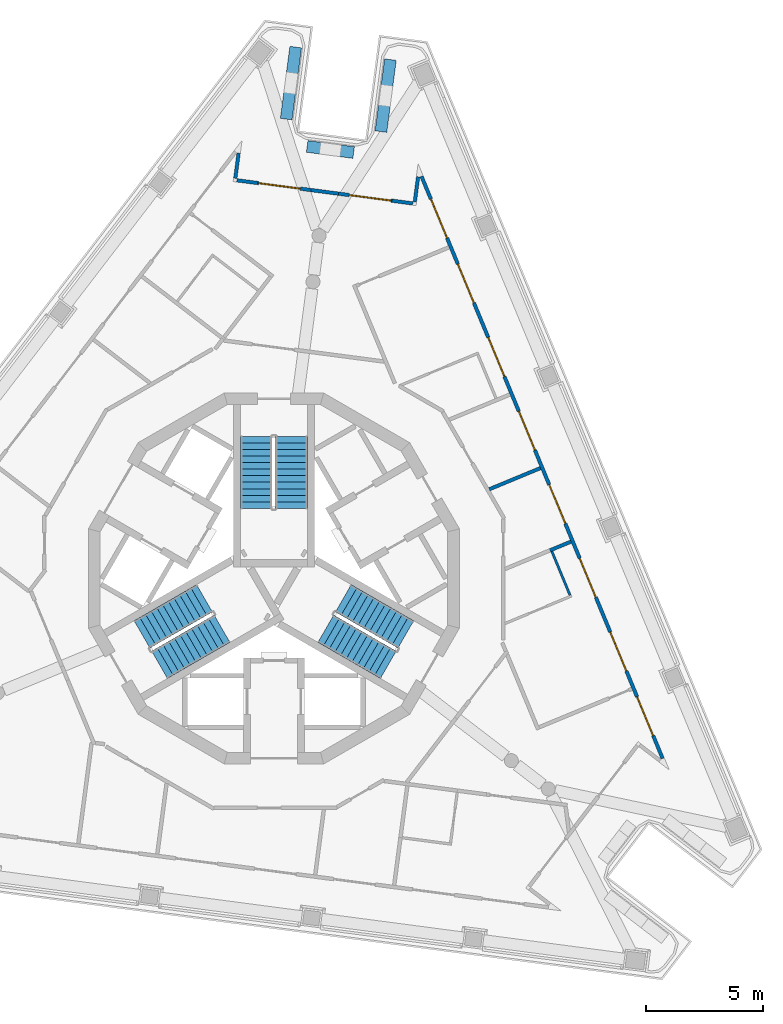
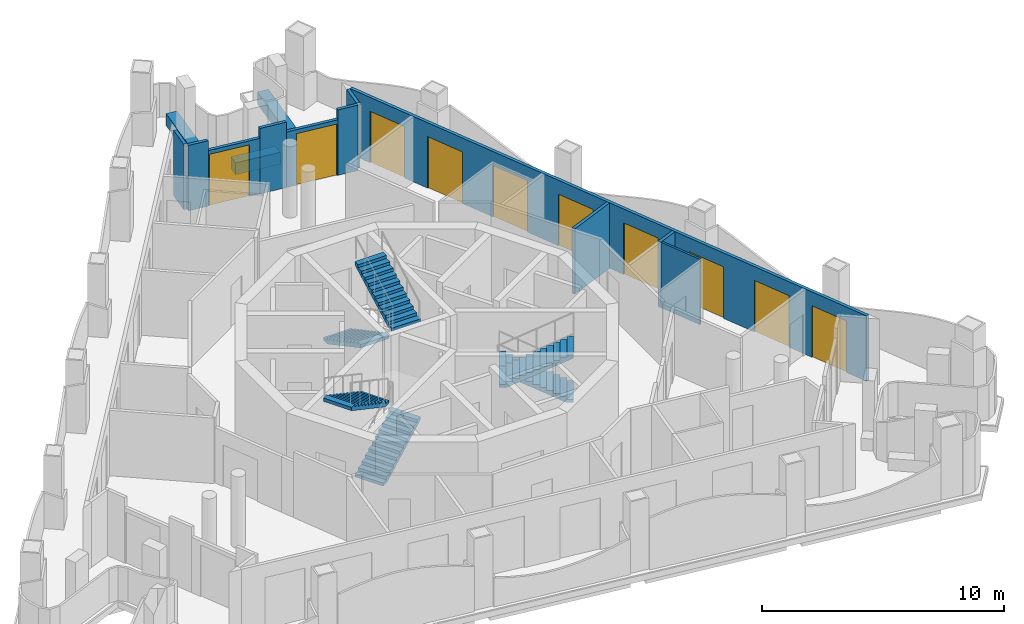
# One storey, part 6 of 12: 14 walls, 10 doors, 6 stair flights, 10 openings, 3 elements without a shape of their own.
"""IFC4 building model written with IfcOpenShell, lengths in metres."""

from ifc_helpers import new_model, si_unit, direction, frame, frame_2d, origin, place, context, subcontext, project, spatial, polyline, rectangle, outline, extrude, material, layer, layer_set, type_object, element, fill, aggregate, save


model = new_model("IFC4")

# Units and contexts
model_context = context("Model", 3, precision=1e-05, world=origin(), true_north=direction((0.0, 1.0)))
body_context = subcontext(model_context, "Body", "Model", "MODEL_VIEW")
ifc_project = project(units=[si_unit("LENGTHUNIT", "METRE"), si_unit("AREAUNIT", "SQUARE_METRE"), si_unit("VOLUMEUNIT", "CUBIC_METRE"), si_unit("PLANEANGLEUNIT", "RADIAN"), si_unit("MASSUNIT", "GRAM", prefix="KILO")], contexts=[model_context])

# Site, building, storey
site_placement = place(None, origin())
site = spatial("IfcSite", under=ifc_project, at=site_placement, CompositionType="ELEMENT")
building_placement = place(site_placement, origin())
building = spatial("IfcBuilding", under=site, at=building_placement, Name="Trine Commons Tower", CompositionType="ELEMENT")
storey_placement = place(building_placement, frame((0.0, 0.0, 282.60009765625)))
storey = spatial("IfcBuildingStorey", under=building, at=storey_placement, Name="L74", CompositionType="ELEMENT", Elevation=282.60009765625)

# Walls
ifc_material_1 = material(Name="Aluminium-framed insulated wall panel", Category="aluminium")
ifc_layer_1 = layer(ifc_material_1, 0.14990234375)
ifc_layer_set_1 = layer_set([ifc_layer_1], Name="Aluminium-framed insulated wall panel")
wall_type_1 = type_object("IfcWallType", Name="Glazed frame wall 150, EI 60", PredefinedType="SOLIDWALL", material=ifc_layer_set_1)
wall_1_placement = place(storey_placement, frame((78.51220703125, 80.81005859375, 0.0), z_axis=(0.0, 0.0, 1.0), x_axis=(-0.130510858064, -0.991446880033, 0.0)))
element("IfcWall", 1, at=wall_1_placement, inside=storey, type_object=wall_type_1, Name="Glazed frame wall R2", PredefinedType="SOLIDWALL", context=body_context, shape_type="SweptSolid", body=[
    extrude(outline(polyline([(0.1494140625, 0.074951171875), (0.1494140625, -0.074951171875), (1.235107421875, -0.074951171875), (1.235107421875, 0.074951171875), (0.1494140625, 0.074951171875)])), origin(), (0.0, 0.0, 1.0), 3.2998046875),
])
wall_2_placement = place(storey_placement, frame((78.306396484375, 79.515869140625, 0.0), z_axis=(0.0, 0.0, 1.0), x_axis=(0.991437672373, -0.130580786489, 0.0)))
element("IfcWall", 2, at=wall_2_placement, inside=storey, type_object=wall_type_1, Name="Glazed frame wall P1.1", PredefinedType="SOLIDWALL", context=body_context, shape_type="SweptSolid", body=[
    extrude(outline(polyline([(0.110107421875, -0.074951171875), (1.0, -0.074951171875), (1.0, 0.074951171875), (0.110107421875, 0.074951171875), (0.110107421875, -0.074951171875)])), origin(), (0.0, 0.0, 1.0), 3.2998046875),
])

# Wall, opening, door
wall_3_placement = place(storey_placement, frame((79.298095703125, 79.38525390625, 0.0), z_axis=(0.0, 0.0, 1.0), x_axis=(0.991435223914, -0.130599375121, 0.0)))
wall_3 = element("IfcWall", 3, at=wall_3_placement, inside=storey, type_object=wall_type_1, Name="Glazed frame wall P1.2", PredefinedType="SOLIDWALL", context=body_context, shape_type="SweptSolid", body=[
    extrude(outline(polyline([(0.0, -0.074951171875), (2.310791015625, -0.074951171875), (2.310791015625, 0.074951171875), (0.0, 0.074951171875), (0.0, -0.074951171875)])), origin(), (0.0, 0.0, 1.0), 2.7998046875),
])
opening_1_placement = place(wall_3_placement, frame((0.050048828125, 0.0, 0.0)))
opening_1 = element("IfcOpeningElement", 4, at=opening_1_placement, cuts=wall_3, Name="Opening BD-8P1-01", PredefinedType="OPENING", context=body_context, shape_type="SweptSolid", body=[
    extrude(rectangle(XDim=1.800048828125, YDim=2.60009765625, at=frame_2d((0.89990234375, 1.300048828125))), frame((0.0, 0.0849609375, 0.0), z_axis=(0.0, -1.0, 0.0), x_axis=(1.0, 0.0, 0.0)), (0.0, 0.0, 1.0), 0.169921875),
])
ifc_material_2 = material(Name="Anodised aluminium frame with double glazing", Category="aluminium")
door_type = type_object("IfcDoorType", Name="Sliding loggia door 1800x2600", OperationType="SLIDING_TO_LEFT", PredefinedType="DOOR", material=ifc_material_2)
door_1_placement = place(opening_1_placement, origin())
door_1 = element("IfcDoor", 5, at=door_1_placement, inside=storey, type_object=door_type, Name="Loggia door P1 1", OperationType="SLIDING_TO_LEFT", OverallHeight=2.60009765625, OverallWidth=1.800048828125, PredefinedType="DOOR", context=body_context, shape_type="SweptSolid", body=[
    extrude(rectangle(XDim=1.800048828125, YDim=2.60009765625, at=frame_2d((0.89990234375, 1.300048828125))), frame((0.0, 0.02490234375, 0.0), z_axis=(0.0, -1.0, 0.0), x_axis=(1.0, 0.0, 0.0)), (0.0, 0.0, 1.0), 0.050048828125),
])
fill(opening_1, door_1)

# Wall
wall_4_placement = place(storey_placement, frame((81.5888671875, 79.08349609375, 0.0), z_axis=(0.0, 0.0, 1.0), x_axis=(0.991447243185, -0.130508099291, 0.0)))
element("IfcWall", 6, at=wall_4_placement, inside=storey, type_object=wall_type_1, Name="Glazed frame wall P1.3", PredefinedType="SOLIDWALL", context=body_context, shape_type="SweptSolid", body=[
    extrude(outline(polyline([(0.0, -0.074951171875), (1.1787109375, -0.074951171875), (1.1787109375, 0.074951171875), (0.0, 0.074951171875), (0.0, -0.074951171875)])), origin(), (0.0, 0.0, 1.0), 3.2998046875),
])

# Wall, opening, door
wall_5_placement = place(storey_placement, frame((82.75732421875, 78.9296875, 0.0), z_axis=(0.0, 0.0, 1.0), x_axis=(0.991450699069, -0.130481842855, 0.0)))
wall_5 = element("IfcWall", 7, at=wall_5_placement, inside=storey, type_object=wall_type_1, Name="Glazed frame wall P1.4", PredefinedType="SOLIDWALL", context=body_context, shape_type="SweptSolid", body=[
    extrude(outline(polyline([(0.0, -0.074951171875), (2.310791015625, -0.074951171875), (2.310791015625, 0.074951171875), (0.0, 0.074951171875), (0.0, -0.074951171875)])), origin(), (0.0, 0.0, 1.0), 2.7998046875),
])
opening_2_placement = place(wall_5_placement, frame((0.460693359375, 0.0, 0.0)))
opening_2 = element("IfcOpeningElement", 8, at=opening_2_placement, cuts=wall_5, Name="Opening BD-8P1-02", PredefinedType="OPENING", context=body_context, shape_type="SweptSolid", body=[
    extrude(rectangle(XDim=1.800048828125, YDim=2.60009765625, at=frame_2d((0.89990234375, 1.300048828125))), frame((0.0, 0.0849609375, 0.0), z_axis=(0.0, -1.0, 0.0), x_axis=(1.0, 0.0, 0.0)), (0.0, 0.0, 1.0), 0.169921875),
])
door_2_placement = place(opening_2_placement, origin())
door_2 = element("IfcDoor", 9, at=door_2_placement, inside=storey, type_object=door_type, Name="Loggia door P1 2", OperationType="SLIDING_TO_LEFT", OverallHeight=2.60009765625, OverallWidth=1.800048828125, PredefinedType="DOOR", context=body_context, shape_type="SweptSolid", body=[
    extrude(rectangle(XDim=1.800048828125, YDim=2.60009765625, at=frame_2d((0.89990234375, 1.300048828125))), frame((0.0, 0.02490234375, 0.0), z_axis=(0.0, -1.0, 0.0), x_axis=(1.0, 0.0, 0.0)), (0.0, 0.0, 1.0), 0.050048828125),
])
fill(opening_2, door_2)

# Walls
wall_6_placement = place(storey_placement, frame((85.04833984375, 78.628173828125, 0.0), z_axis=(0.0, 0.0, 1.0), x_axis=(0.991465094935, -0.130372410907, 0.0)))
element("IfcWall", 10, at=wall_6_placement, inside=storey, type_object=wall_type_1, Name="Glazed frame wall P1.5", PredefinedType="SOLIDWALL", context=body_context, shape_type="SweptSolid", body=[
    extrude(outline(polyline([(0.889892578125, 0.074951171875), (0.0, 0.074951171875), (0.0, -0.074951171875), (0.889892578125, -0.074951171875), (0.889892578125, 0.074951171875)])), origin(), (0.0, 0.0, 1.0), 3.2998046875),
])
wall_7_placement = place(storey_placement, frame((86.00048828125, 78.467529296875, 0.0), z_axis=(0.0, 0.0, 1.0), x_axis=(0.130510858064, 0.991446880033, 0.0)))
element("IfcWall", 11, at=wall_7_placement, inside=storey, type_object=wall_type_1, Name="Glazed frame wall R4", PredefinedType="SOLIDWALL", context=body_context, shape_type="SweptSolid", body=[
    extrude(outline(polyline([(0.110107421875, 0.074951171875), (0.110107421875, -0.074951171875), (1.19580078125, -0.074951171875), (1.19580078125, 0.074951171875), (0.110107421875, 0.074951171875)])), origin(), (0.0, 0.0, 1.0), 3.2998046875),
])

# Wall, openings, doors
wall_8_placement = place(storey_placement, frame((86.2431640625, 79.809814453125, 0.0), z_axis=(0.0, 0.0, 1.0), x_axis=(0.382683868189, -0.923879351987, 0.0)))
wall_8 = element("IfcWall", 12, at=wall_8_placement, inside=storey, type_object=wall_type_1, Name="Glazed frame wall F2", PredefinedType="SOLIDWALL", context=body_context, shape_type="SweptSolid", body=[
    extrude(outline(polyline([(0.1494140625, 0.074951171875), (0.1494140625, -0.074951171875), (27.056884765625, -0.074951171875), (27.056884765625, 0.074951171875), (0.1494140625, 0.074951171875)])), origin(), (0.0, 0.0, 1.0), 3.2998046875),
])
opening_3_placement = place(wall_8_placement, frame((1.200439453125, 0.0, 0.0)))
opening_3 = element("IfcOpeningElement", 13, at=opening_3_placement, cuts=wall_8, Name="Opening BD-8F2-01", PredefinedType="OPENING", context=body_context, shape_type="SweptSolid", body=[
    extrude(rectangle(XDim=1.800048828125, YDim=2.60009765625, at=frame_2d((0.89990234375, 1.300048828125))), frame((0.0, 0.0849609375, 0.0), z_axis=(0.0, -1.0, 0.0), x_axis=(1.0, 0.0, 0.0)), (0.0, 0.0, 1.0), 0.169921875),
])
opening_4_placement = place(wall_8_placement, frame((4.201171875, 0.0, 0.0)))
opening_4 = element("IfcOpeningElement", 14, at=opening_4_placement, cuts=wall_8, Name="Opening BD-8F2-02", PredefinedType="OPENING", context=body_context, shape_type="SweptSolid", body=[
    extrude(rectangle(XDim=1.800048828125, YDim=2.60009765625, at=frame_2d((0.89990234375, 1.300048828125))), frame((0.0, 0.0849609375, 0.0), z_axis=(0.0, -1.0, 0.0), x_axis=(1.0, 0.0, 0.0)), (0.0, 0.0, 1.0), 0.169921875),
])
opening_5_placement = place(wall_8_placement, frame((7.60205078125, 0.0, 0.0)))
opening_5 = element("IfcOpeningElement", 15, at=opening_5_placement, cuts=wall_8, Name="Opening BD-8F2-03", PredefinedType="OPENING", context=body_context, shape_type="SweptSolid", body=[
    extrude(rectangle(XDim=1.800048828125, YDim=2.60009765625, at=frame_2d((0.89990234375, 1.300048828125))), frame((0.0, 0.0849609375, 0.0), z_axis=(0.0, -1.0, 0.0), x_axis=(1.0, 0.0, 0.0)), (0.0, 0.0, 1.0), 0.169921875),
])
opening_6_placement = place(wall_8_placement, frame((11.002685546875, 0.0, 0.0)))
opening_6 = element("IfcOpeningElement", 16, at=opening_6_placement, cuts=wall_8, Name="Opening BD-8F2-04", PredefinedType="OPENING", context=body_context, shape_type="SweptSolid", body=[
    extrude(rectangle(XDim=1.800048828125, YDim=2.60009765625, at=frame_2d((0.89990234375, 1.300048828125))), frame((0.0, 0.0849609375, 0.0), z_axis=(0.0, -1.0, 0.0), x_axis=(1.0, 0.0, 0.0)), (0.0, 0.0, 1.0), 0.169921875),
])
opening_7_placement = place(wall_8_placement, frame((14.403564453125, 0.0, 0.0)))
opening_7 = element("IfcOpeningElement", 17, at=opening_7_placement, cuts=wall_8, Name="Opening BD-8F2-05", PredefinedType="OPENING", context=body_context, shape_type="SweptSolid", body=[
    extrude(rectangle(XDim=1.800048828125, YDim=2.60009765625, at=frame_2d((0.89990234375, 1.300048828125))), frame((0.0, 0.0849609375, 0.0), z_axis=(0.0, -1.0, 0.0), x_axis=(1.0, 0.0, 0.0)), (0.0, 0.0, 1.0), 0.169921875),
])
opening_8_placement = place(wall_8_placement, frame((17.804443359375, 0.0, 0.0)))
opening_8 = element("IfcOpeningElement", 18, at=opening_8_placement, cuts=wall_8, Name="Opening BD-8F2-06", PredefinedType="OPENING", context=body_context, shape_type="SweptSolid", body=[
    extrude(rectangle(XDim=1.800048828125, YDim=2.60009765625, at=frame_2d((0.89990234375, 1.300048828125))), frame((0.0, 0.0849609375, 0.0), z_axis=(0.0, -1.0, 0.0), x_axis=(1.0, 0.0, 0.0)), (0.0, 0.0, 1.0), 0.169921875),
])
opening_9_placement = place(wall_8_placement, frame((21.205078125, 0.0, 0.0)))
opening_9 = element("IfcOpeningElement", 19, at=opening_9_placement, cuts=wall_8, Name="Opening BD-8F2-07", PredefinedType="OPENING", context=body_context, shape_type="SweptSolid", body=[
    extrude(rectangle(XDim=1.800048828125, YDim=2.60009765625, at=frame_2d((0.89990234375, 1.300048828125))), frame((0.0, 0.0849609375, 0.0), z_axis=(0.0, -1.0, 0.0), x_axis=(1.0, 0.0, 0.0)), (0.0, 0.0, 1.0), 0.169921875),
])
opening_10_placement = place(wall_8_placement, frame((24.2060546875, 0.0, 0.0)))
opening_10 = element("IfcOpeningElement", 20, at=opening_10_placement, cuts=wall_8, Name="Opening BD-8F2-08", PredefinedType="OPENING", context=body_context, shape_type="SweptSolid", body=[
    extrude(rectangle(XDim=1.800048828125, YDim=2.60009765625, at=frame_2d((0.89990234375, 1.300048828125))), frame((0.0, 0.0849609375, 0.0), z_axis=(0.0, -1.0, 0.0), x_axis=(1.0, 0.0, 0.0)), (0.0, 0.0, 1.0), 0.169921875),
])
door_3_placement = place(opening_3_placement, origin())
door_3 = element("IfcDoor", 21, at=door_3_placement, inside=storey, type_object=door_type, Name="Loggia door F2 1", OperationType="SLIDING_TO_LEFT", OverallHeight=2.60009765625, OverallWidth=1.800048828125, PredefinedType="DOOR", context=body_context, shape_type="SweptSolid", body=[
    extrude(rectangle(XDim=1.800048828125, YDim=2.60009765625, at=frame_2d((0.89990234375, 1.300048828125))), frame((0.0, 0.02490234375, 0.0), z_axis=(0.0, -1.0, 0.0), x_axis=(1.0, 0.0, 0.0)), (0.0, 0.0, 1.0), 0.050048828125),
])
fill(opening_3, door_3)
door_4_placement = place(opening_4_placement, origin())
door_4 = element("IfcDoor", 22, at=door_4_placement, inside=storey, type_object=door_type, Name="Loggia door F2 2", OperationType="SLIDING_TO_LEFT", OverallHeight=2.60009765625, OverallWidth=1.800048828125, PredefinedType="DOOR", context=body_context, shape_type="SweptSolid", body=[
    extrude(rectangle(XDim=1.800048828125, YDim=2.60009765625, at=frame_2d((0.89990234375, 1.300048828125))), frame((0.0, 0.02490234375, 0.0), z_axis=(0.0, -1.0, 0.0), x_axis=(1.0, 0.0, 0.0)), (0.0, 0.0, 1.0), 0.050048828125),
])
fill(opening_4, door_4)
door_5_placement = place(opening_5_placement, origin())
door_5 = element("IfcDoor", 23, at=door_5_placement, inside=storey, type_object=door_type, Name="Loggia door F2 3", OperationType="SLIDING_TO_LEFT", OverallHeight=2.60009765625, OverallWidth=1.800048828125, PredefinedType="DOOR", context=body_context, shape_type="SweptSolid", body=[
    extrude(rectangle(XDim=1.800048828125, YDim=2.60009765625, at=frame_2d((0.89990234375, 1.300048828125))), frame((0.0, 0.02490234375, 0.0), z_axis=(0.0, -1.0, 0.0), x_axis=(1.0, 0.0, 0.0)), (0.0, 0.0, 1.0), 0.050048828125),
])
fill(opening_5, door_5)
door_6_placement = place(opening_6_placement, origin())
door_6 = element("IfcDoor", 24, at=door_6_placement, inside=storey, type_object=door_type, Name="Loggia door F2 4", OperationType="SLIDING_TO_LEFT", OverallHeight=2.60009765625, OverallWidth=1.800048828125, PredefinedType="DOOR", context=body_context, shape_type="SweptSolid", body=[
    extrude(rectangle(XDim=1.800048828125, YDim=2.60009765625, at=frame_2d((0.89990234375, 1.300048828125))), frame((0.0, 0.02490234375, 0.0), z_axis=(0.0, -1.0, 0.0), x_axis=(1.0, 0.0, 0.0)), (0.0, 0.0, 1.0), 0.050048828125),
])
fill(opening_6, door_6)
door_7_placement = place(opening_7_placement, origin())
door_7 = element("IfcDoor", 25, at=door_7_placement, inside=storey, type_object=door_type, Name="Loggia door F2 5", OperationType="SLIDING_TO_LEFT", OverallHeight=2.60009765625, OverallWidth=1.800048828125, PredefinedType="DOOR", context=body_context, shape_type="SweptSolid", body=[
    extrude(rectangle(XDim=1.800048828125, YDim=2.60009765625, at=frame_2d((0.89990234375, 1.300048828125))), frame((0.0, 0.02490234375, 0.0), z_axis=(0.0, -1.0, 0.0), x_axis=(1.0, 0.0, 0.0)), (0.0, 0.0, 1.0), 0.050048828125),
])
fill(opening_7, door_7)
door_8_placement = place(opening_8_placement, origin())
door_8 = element("IfcDoor", 26, at=door_8_placement, inside=storey, type_object=door_type, Name="Loggia door F2 6", OperationType="SLIDING_TO_LEFT", OverallHeight=2.60009765625, OverallWidth=1.800048828125, PredefinedType="DOOR", context=body_context, shape_type="SweptSolid", body=[
    extrude(rectangle(XDim=1.800048828125, YDim=2.60009765625, at=frame_2d((0.89990234375, 1.300048828125))), frame((0.0, 0.02490234375, 0.0), z_axis=(0.0, -1.0, 0.0), x_axis=(1.0, 0.0, 0.0)), (0.0, 0.0, 1.0), 0.050048828125),
])
fill(opening_8, door_8)
door_9_placement = place(opening_9_placement, origin())
door_9 = element("IfcDoor", 27, at=door_9_placement, inside=storey, type_object=door_type, Name="Loggia door F2 7", OperationType="SLIDING_TO_LEFT", OverallHeight=2.60009765625, OverallWidth=1.800048828125, PredefinedType="DOOR", context=body_context, shape_type="SweptSolid", body=[
    extrude(rectangle(XDim=1.800048828125, YDim=2.60009765625, at=frame_2d((0.89990234375, 1.300048828125))), frame((0.0, 0.02490234375, 0.0), z_axis=(0.0, -1.0, 0.0), x_axis=(1.0, 0.0, 0.0)), (0.0, 0.0, 1.0), 0.050048828125),
])
fill(opening_9, door_9)
door_10_placement = place(opening_10_placement, origin())
door_10 = element("IfcDoor", 28, at=door_10_placement, inside=storey, type_object=door_type, Name="Loggia door F2 8", OperationType="SLIDING_TO_LEFT", OverallHeight=2.60009765625, OverallWidth=1.800048828125, PredefinedType="DOOR", context=body_context, shape_type="SweptSolid", body=[
    extrude(rectangle(XDim=1.800048828125, YDim=2.60009765625, at=frame_2d((0.89990234375, 1.300048828125))), frame((0.0, 0.02490234375, 0.0), z_axis=(0.0, -1.0, 0.0), x_axis=(1.0, 0.0, 0.0)), (0.0, 0.0, 1.0), 0.050048828125),
])
fill(opening_10, door_10)

# Walls
ifc_material_3 = material(Name="Planter trough, precast concrete C40/50", Category="concrete")
ifc_layer_2 = layer(ifc_material_3, 0.5)
ifc_layer_set_2 = layer_set([ifc_layer_2], Name="Planter trough, precast concrete C40/50")
wall_type_2 = type_object("IfcWallType", Name="Planter trough 500x600", PredefinedType="PARAPET", material=ifc_layer_set_2)
wall_9_placement = place(storey_placement, frame((80.92919921875, 85.18701171875, 0.0), z_axis=(0.0, 0.0, 1.0), x_axis=(-0.130487105691, -0.991450006429, 0.0)))
element("IfcWall", 29, at=wall_9_placement, inside=storey, type_object=wall_type_2, Name="Planter 4", PredefinedType="PARAPET", context=body_context, shape_type="SweptSolid", body=[
    extrude(rectangle(XDim=3.100341796875, YDim=0.5, at=frame_2d((1.55029296875, 0.0))), origin(), (0.0, 0.0, 1.0), 0.599853515625),
])
wall_10_placement = place(storey_placement, frame((81.419921875, 80.94677734375, 0.0), z_axis=(0.0, 0.0, 1.0), x_axis=(0.991433509034, -0.130612392842, 0.0)))
element("IfcWall", 30, at=wall_10_placement, inside=storey, type_object=wall_type_2, Name="Planter 5", PredefinedType="PARAPET", context=body_context, shape_type="SweptSolid", body=[
    extrude(rectangle(XDim=2.0, YDim=0.5, at=frame_2d((1.0, 0.0))), origin(), (0.0, 0.0, 1.0), 0.599853515625),
])
wall_11_placement = place(storey_placement, frame((84.569580078125, 81.5810546875, 0.0), z_axis=(0.0, 0.0, 1.0), x_axis=(0.130507484591, 0.9914473241, 0.0)))
element("IfcWall", 31, at=wall_11_placement, inside=storey, type_object=wall_type_2, Name="Planter 6", PredefinedType="PARAPET", context=body_context, shape_type="SweptSolid", body=[
    extrude(rectangle(XDim=3.099853515625, YDim=0.5, at=frame_2d((1.5498046875, 0.0))), origin(), (0.0, 0.0, 1.0), 0.599853515625),
])
ifc_material_4 = material(Name="Gypsum plasterboard on steel stud", Category="steel")
ifc_layer_3 = layer(ifc_material_4, 0.14990234375)
ifc_layer_set_3 = layer_set([ifc_layer_3], Name="Gypsum plasterboard on steel stud")
wall_type_3 = type_object("IfcWallType", Name="Unit and corridor wall 150 mm, EI 60", PredefinedType="PARTITIONING", material=ifc_layer_set_3)
wall_12_placement = place(storey_placement, frame((89.197265625, 66.309814453125, 0.0), z_axis=(0.0, 0.0, 1.0), x_axis=(0.923858052564, 0.382735285429, 0.0)))
element("IfcWall", 32, at=wall_12_placement, inside=storey, type_object=wall_type_3, Name="Partition 044", PredefinedType="PARTITIONING", context=body_context, shape_type="SweptSolid", body=[
    extrude(rectangle(XDim=2.361328125, YDim=0.14990234375, at=frame_2d((1.1806640625, 0.0))), origin(), (0.0, 0.0, 1.0), 3.2998046875),
])
wall_13_placement = place(storey_placement, frame((91.789794921875, 63.702880859375, 0.0), z_axis=(0.0, 0.0, 1.0), x_axis=(0.923958226905, 0.382493392015, 0.0)))
element("IfcWall", 33, at=wall_13_placement, inside=storey, type_object=wall_type_3, Name="Partition 051", PredefinedType="PARTITIONING", context=body_context, shape_type="SweptSolid", body=[
    extrude(rectangle(XDim=0.96435546875, YDim=0.14990234375, at=frame_2d((0.482177734375, 0.0))), origin(), (0.0, 0.0, 1.0), 3.2998046875),
])
ifc_layer_4 = layer(ifc_material_4, 0.10009765625)
ifc_layer_set_4 = layer_set([ifc_layer_4], Name="Gypsum plasterboard on steel stud")
wall_type_4 = type_object("IfcWallType", Name="Unit partition 100 mm, no rating", PredefinedType="PARTITIONING", material=ifc_layer_set_4)
wall_14_placement = place(storey_placement, frame((91.86865234375, 63.65380859375, 0.0), z_axis=(0.0, 0.0, 1.0), x_axis=(0.382816773578, -0.923824289498, 0.0)))
element("IfcWall", 34, at=wall_14_placement, inside=storey, type_object=wall_type_4, Name="Partition 052", PredefinedType="PARTITIONING", context=body_context, shape_type="SweptSolid", body=[
    extrude(rectangle(XDim=2.02490234375, YDim=0.10009765625, at=frame_2d((1.012451171875, 0.0))), origin(), (0.0, 0.0, 1.0), 3.2998046875),
])

# Stair, stair flights
ifc_material_5 = material(Name="Concrete C50/60", Category="concrete")
stair_type = type_object("IfcStairType", Name="Exit stair, dog-leg, 24 risers of 150 mm", PredefinedType="HALF_TURN_STAIR", material=ifc_material_5)
stair_1_placement = place(storey_placement, origin())
stair_1 = element("IfcStair", 35, at=stair_1_placement, inside=storey, type_object=stair_type, Name="L74 Exit stair ST1D", PredefinedType="HALF_TURN_STAIR")
stair_flight_type = type_object("IfcStairFlightType", Name="Stair flight, 1350 wide, 12 risers of 150 mm", PredefinedType="STRAIGHT", material=ifc_material_5)
stair_flight_1_placement = place(storey_placement, frame((79.25, 68.570556640625, 0.0), z_axis=(0.0, 0.0, 1.0), x_axis=(0.0, -1.0, 0.0)))
stair_flight_1 = element("IfcStairFlight", 36, at=stair_flight_1_placement, type_object=stair_flight_type, Name="ST1D flight 1", NumberOfRisers=12, NumberOfTreads=11, PredefinedType="STRAIGHT", RiserHeight=0.15, TreadLength=0.28, context=body_context, shape_type="SweptSolid", body=[
    extrude(outline(polyline([(0.0, 0.0), (0.0, 0.14990234375), (0.280029296875, 0.14990234375), (0.280029296875, 0.300048828125), (0.56005859375, 0.300048828125), (0.56005859375, 0.449951171875), (0.840087890625, 0.449951171875), (0.840087890625, 0.60009765625), (1.1201171875, 0.60009765625), (1.1201171875, 0.75), (1.39990234375, 0.75), (1.39990234375, 0.89990234375), (1.679931640625, 0.89990234375), (1.679931640625, 1.050048828125), (1.9599609375, 1.050048828125), (1.9599609375, 1.199951171875), (2.239990234375, 1.199951171875), (2.239990234375, 1.35009765625), (2.52001953125, 1.35009765625), (2.52001953125, 1.5), (2.800048828125, 1.5), (2.800048828125, 1.64990234375), (3.080078125, 1.64990234375), (3.080078125, 1.800048828125), (3.080078125, 1.47998046875), (0.3173828125, 0.0), (0.0, 0.0)])), frame((0.0, 0.675048828125, 0.0), z_axis=(0.0, -1.0, 0.0), x_axis=(1.0, 0.0, 0.0)), (0.0, 0.0, 1.0), 1.35009765625),
])
stair_flight_2_placement = place(storey_placement, frame((80.75, 65.490478515625, 1.7998046875), z_axis=(0.0, 0.0, 1.0), x_axis=(0.0, 1.0, 0.0)))
stair_flight_2 = element("IfcStairFlight", 37, at=stair_flight_2_placement, type_object=stair_flight_type, Name="ST1D flight 2", NumberOfRisers=12, NumberOfTreads=11, PredefinedType="STRAIGHT", RiserHeight=0.15, TreadLength=0.28, context=body_context, shape_type="SweptSolid", body=[
    extrude(outline(polyline([(0.0, 0.0), (0.0, 0.14990234375), (0.280029296875, 0.14990234375), (0.280029296875, 0.300048828125), (0.56005859375, 0.300048828125), (0.56005859375, 0.449951171875), (0.840087890625, 0.449951171875), (0.840087890625, 0.60009765625), (1.1201171875, 0.60009765625), (1.1201171875, 0.75), (1.39990234375, 0.75), (1.39990234375, 0.89990234375), (1.679931640625, 0.89990234375), (1.679931640625, 1.050048828125), (1.9599609375, 1.050048828125), (1.9599609375, 1.199951171875), (2.239990234375, 1.199951171875), (2.239990234375, 1.35009765625), (2.52001953125, 1.35009765625), (2.52001953125, 1.5), (2.800048828125, 1.5), (2.800048828125, 1.64990234375), (3.080078125, 1.64990234375), (3.080078125, 1.800048828125), (3.080078125, 1.47998046875), (0.3173828125, 0.0), (0.0, 0.0)])), frame((0.0, 0.675048828125, 0.0), z_axis=(0.0, -1.0, 0.0), x_axis=(1.0, 0.0, 0.0)), (0.0, 0.0, 1.0), 1.35009765625),
])
aggregate(stair_1, [stair_flight_1, stair_flight_2])

stair_2_placement = place(storey_placement, origin())
stair_2 = element("IfcStair", 38, at=stair_2_placement, inside=storey, type_object=stair_type, Name="L74 Exit stair ST2D", PredefinedType="HALF_TURN_STAIR")
stair_flight_3_placement = place(storey_placement, frame((75.11767578125, 58.815185546875, 0.0), z_axis=(0.0, 0.0, 1.0), x_axis=(0.866025403784, 0.5, 0.0)))
stair_flight_3 = element("IfcStairFlight", 39, at=stair_flight_3_placement, type_object=stair_flight_type, Name="ST2D flight 1", NumberOfRisers=12, NumberOfTreads=11, PredefinedType="STRAIGHT", RiserHeight=0.15, TreadLength=0.28, context=body_context, shape_type="SweptSolid", body=[
    extrude(outline(polyline([(0.0, 0.0), (0.0, 0.14990234375), (0.280029296875, 0.14990234375), (0.280029296875, 0.300048828125), (0.56005859375, 0.300048828125), (0.56005859375, 0.449951171875), (0.840087890625, 0.449951171875), (0.840087890625, 0.60009765625), (1.1201171875, 0.60009765625), (1.1201171875, 0.75), (1.39990234375, 0.75), (1.39990234375, 0.89990234375), (1.679931640625, 0.89990234375), (1.679931640625, 1.050048828125), (1.9599609375, 1.050048828125), (1.9599609375, 1.199951171875), (2.239990234375, 1.199951171875), (2.239990234375, 1.35009765625), (2.52001953125, 1.35009765625), (2.52001953125, 1.5), (2.800048828125, 1.5), (2.800048828125, 1.64990234375), (3.080078125, 1.64990234375), (3.080078125, 1.800048828125), (3.080078125, 1.47998046875), (0.3173828125, 0.0), (0.0, 0.0)])), frame((0.0, 0.675048828125, 0.0), z_axis=(0.0, -1.0, 0.0), x_axis=(1.0, 0.0, 0.0)), (0.0, 0.0, 1.0), 1.35009765625),
])
stair_flight_4_placement = place(storey_placement, frame((77.03515625, 61.654296875, 1.7998046875), z_axis=(0.0, 0.0, 1.0), x_axis=(-0.866025403784, -0.5, 0.0)))
stair_flight_4 = element("IfcStairFlight", 40, at=stair_flight_4_placement, type_object=stair_flight_type, Name="ST2D flight 2", NumberOfRisers=12, NumberOfTreads=11, PredefinedType="STRAIGHT", RiserHeight=0.15, TreadLength=0.28, context=body_context, shape_type="SweptSolid", body=[
    extrude(outline(polyline([(0.0, 0.0), (0.0, 0.14990234375), (0.280029296875, 0.14990234375), (0.280029296875, 0.300048828125), (0.56005859375, 0.300048828125), (0.56005859375, 0.449951171875), (0.840087890625, 0.449951171875), (0.840087890625, 0.60009765625), (1.1201171875, 0.60009765625), (1.1201171875, 0.75), (1.39990234375, 0.75), (1.39990234375, 0.89990234375), (1.679931640625, 0.89990234375), (1.679931640625, 1.050048828125), (1.9599609375, 1.050048828125), (1.9599609375, 1.199951171875), (2.239990234375, 1.199951171875), (2.239990234375, 1.35009765625), (2.52001953125, 1.35009765625), (2.52001953125, 1.5), (2.800048828125, 1.5), (2.800048828125, 1.64990234375), (3.080078125, 1.64990234375), (3.080078125, 1.800048828125), (3.080078125, 1.47998046875), (0.3173828125, 0.0), (0.0, 0.0)])), frame((0.0, 0.675048828125, 0.0), z_axis=(0.0, -1.0, 0.0), x_axis=(1.0, 0.0, 0.0)), (0.0, 0.0, 1.0), 1.35009765625),
])
aggregate(stair_2, [stair_flight_3, stair_flight_4])

stair_3_placement = place(storey_placement, origin())
stair_3 = element("IfcStair", 41, at=stair_3_placement, inside=storey, type_object=stair_type, Name="L74 Exit stair ST3D", PredefinedType="HALF_TURN_STAIR")
stair_flight_5_placement = place(storey_placement, frame((85.63232421875, 60.1142578125, 0.0), z_axis=(0.0, 0.0, 1.0), x_axis=(-0.866025403784, 0.5, 0.0)))
stair_flight_5 = element("IfcStairFlight", 42, at=stair_flight_5_placement, type_object=stair_flight_type, Name="ST3D flight 1", NumberOfRisers=12, NumberOfTreads=11, PredefinedType="STRAIGHT", RiserHeight=0.15, TreadLength=0.28, context=body_context, shape_type="SweptSolid", body=[
    extrude(outline(polyline([(0.0, 0.0), (0.0, 0.14990234375), (0.280029296875, 0.14990234375), (0.280029296875, 0.300048828125), (0.56005859375, 0.300048828125), (0.56005859375, 0.449951171875), (0.840087890625, 0.449951171875), (0.840087890625, 0.60009765625), (1.1201171875, 0.60009765625), (1.1201171875, 0.75), (1.39990234375, 0.75), (1.39990234375, 0.89990234375), (1.679931640625, 0.89990234375), (1.679931640625, 1.050048828125), (1.9599609375, 1.050048828125), (1.9599609375, 1.199951171875), (2.239990234375, 1.199951171875), (2.239990234375, 1.35009765625), (2.52001953125, 1.35009765625), (2.52001953125, 1.5), (2.800048828125, 1.5), (2.800048828125, 1.64990234375), (3.080078125, 1.64990234375), (3.080078125, 1.800048828125), (3.080078125, 1.47998046875), (0.3173828125, 0.0), (0.0, 0.0)])), frame((0.0, 0.675048828125, 0.0), z_axis=(0.0, -1.0, 0.0), x_axis=(1.0, 0.0, 0.0)), (0.0, 0.0, 1.0), 1.35009765625),
])
stair_flight_6_placement = place(storey_placement, frame((82.21484375, 60.355224609375, 1.7998046875), z_axis=(0.0, 0.0, 1.0), x_axis=(0.866025403784, -0.5, 0.0)))
stair_flight_6 = element("IfcStairFlight", 43, at=stair_flight_6_placement, type_object=stair_flight_type, Name="ST3D flight 2", NumberOfRisers=12, NumberOfTreads=11, PredefinedType="STRAIGHT", RiserHeight=0.15, TreadLength=0.28, context=body_context, shape_type="SweptSolid", body=[
    extrude(outline(polyline([(0.0, 0.0), (0.0, 0.14990234375), (0.280029296875, 0.14990234375), (0.280029296875, 0.300048828125), (0.56005859375, 0.300048828125), (0.56005859375, 0.449951171875), (0.840087890625, 0.449951171875), (0.840087890625, 0.60009765625), (1.1201171875, 0.60009765625), (1.1201171875, 0.75), (1.39990234375, 0.75), (1.39990234375, 0.89990234375), (1.679931640625, 0.89990234375), (1.679931640625, 1.050048828125), (1.9599609375, 1.050048828125), (1.9599609375, 1.199951171875), (2.239990234375, 1.199951171875), (2.239990234375, 1.35009765625), (2.52001953125, 1.35009765625), (2.52001953125, 1.5), (2.800048828125, 1.5), (2.800048828125, 1.64990234375), (3.080078125, 1.64990234375), (3.080078125, 1.800048828125), (3.080078125, 1.47998046875), (0.3173828125, 0.0), (0.0, 0.0)])), frame((0.0, 0.675048828125, 0.0), z_axis=(0.0, -1.0, 0.0), x_axis=(1.0, 0.0, 0.0)), (0.0, 0.0, 1.0), 1.35009765625),
])
aggregate(stair_3, [stair_flight_5, stair_flight_6])

save(model, "model.ifc")
